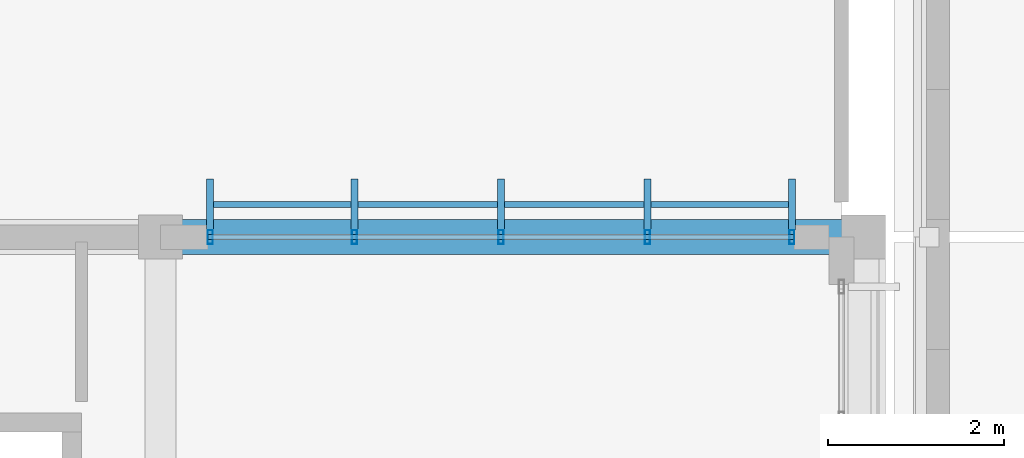
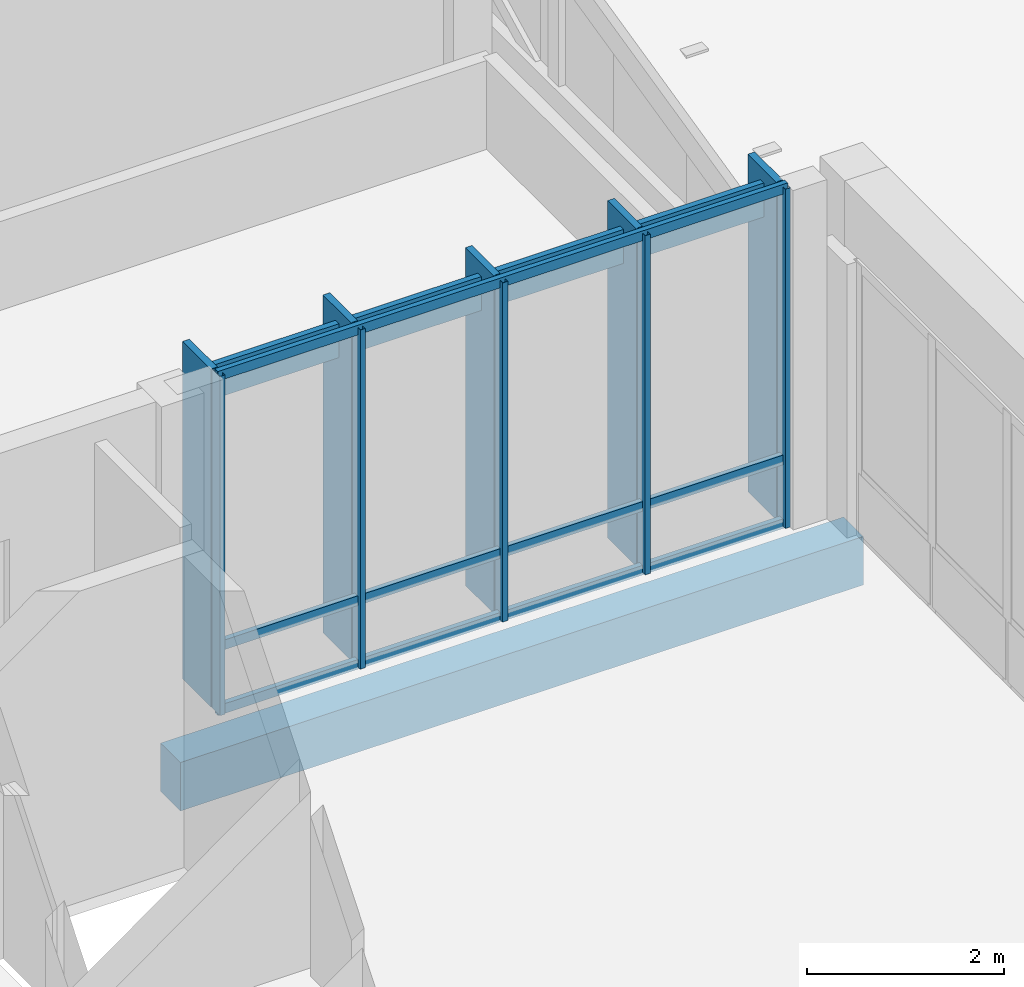
# One storey, part 29 of 182: 14 members, 1 beam, 1 element without a shape of its own.
"""IFC4 building model written with IfcOpenShell, lengths in metres."""

from ifc_helpers import new_model, si_unit, direction, frame, origin, origin_2d, place, context, subcontext, project, spatial, rectangle, hollow_rectangle, extrude, material, material_profile, profile_set, type_object, element, aggregate, save


model = new_model("IFC4")

# Units and contexts
model_context = context("Model", 3, precision=1e-05, world=origin(), true_north=direction((0.0, 1.0)))
body_context = subcontext(model_context, "Body", "Model", "MODEL_VIEW")
ifc_project = project(units=[si_unit("LENGTHUNIT", "METRE"), si_unit("AREAUNIT", "SQUARE_METRE"), si_unit("VOLUMEUNIT", "CUBIC_METRE"), si_unit("PLANEANGLEUNIT", "RADIAN"), si_unit("MASSUNIT", "GRAM", prefix="KILO")], contexts=[model_context])

# Site, building, storey
site_placement = place(None, origin())
site = spatial("IfcSite", under=ifc_project, at=site_placement, CompositionType="ELEMENT")
building_placement = place(site_placement, origin())
building = spatial("IfcBuilding", under=site, at=building_placement, Name="Chiffa Square Polytechnic", CompositionType="ELEMENT")
storey_placement = place(building_placement, frame((0.0, 0.0, 9.60009765625)))
storey = spatial("IfcBuildingStorey", under=building, at=storey_placement, Name="L02", CompositionType="ELEMENT", Elevation=9.60009765625)

# Beam
ifc_material_1 = material(Name="Concrete C35/45", Category="concrete")
ifc_material_profile_1 = material_profile(ifc_material_1, rectangle(XDim=0.39990234375, YDim=0.60009765625, at=origin_2d()), Name="RC 400x600")
ifc_profile_set_1 = profile_set([ifc_material_profile_1], Name="Concrete C35/45")
beam_type = type_object("IfcBeamType", Name="BM-RC-400X600", PredefinedType="BEAM", material=ifc_profile_set_1)
beam_placement = place(storey_placement, frame((40.0, 28.800048828125, -0.6201171875), z_axis=(1.0, 0.0, 0.0), x_axis=(0.0, 1.0, 0.0)))
element("IfcBeam", 1, at=beam_placement, inside=storey, type_object=beam_type, Name="Primary floor girder BM-V3-L02-X-0400-0288", PredefinedType="BEAM", context=body_context, shape_type="SweptSolid", body=[
    extrude(rectangle(XDim=0.39990234375, YDim=0.60009765625, at=origin_2d()), origin(), (0.0, 0.0, 1.0), 8.0),
])

# Curtain wall, members
ifc_material_2 = material(Name="Aluminium EN AW-6060 T66 and glulam shading", Category="wood")
curtain_wall_type = type_object("IfcCurtainWallType", Name="CW-VERT-300X380", PredefinedType="USERDEFINED", material=ifc_material_2)
curtain_wall_placement = place(storey_placement, origin())
curtain_wall = element("IfcCurtainWall", 2, at=curtain_wall_placement, inside=storey, type_object=curtain_wall_type, Name="Curtain wall CW-V3-L02-171", ObjectType="CURTAIN WALL", PredefinedType="USERDEFINED")
ifc_material_3 = material(Name="Aluminium EN AW-6060 T66", Category="aluminium")
ifc_material_profile_2 = material_profile(ifc_material_3, hollow_rectangle(XDim=0.06005859375, YDim=0.159912109375, WallThickness=0.00390625, at=origin_2d()), Name="ALU 60x160x4")
ifc_profile_set_2 = profile_set([ifc_material_profile_2], Name="Aluminium EN AW-6060 T66")
member_type_1 = type_object("IfcMemberType", Name="CWM-ALU-65X150", PredefinedType="MULLION", material=ifc_profile_set_2)
member_1_placement = place(storey_placement, frame((47.18505859375, 28.800048828125, 0.0), z_axis=(0.0, 0.0, 1.0), x_axis=(1.0, 0.0, 0.0)))
member_1 = element("IfcMember", 3, at=member_1_placement, type_object=member_type_1, Name="Curtain wall mullion CW-V3-L02-171-M00", PredefinedType="MULLION", context=body_context, shape_type="SweptSolid", body=[
    extrude(hollow_rectangle(XDim=0.06005859375, YDim=0.159912109375, WallThickness=0.00390625, at=origin_2d()), origin(), (0.0, 0.0, 1.0), 4.199951171875),
])
member_2_placement = place(storey_placement, frame((45.54296875, 28.800048828125, 0.0), z_axis=(0.0, 0.0, 1.0), x_axis=(1.0, 0.0, 0.0)))
member_2 = element("IfcMember", 4, at=member_2_placement, type_object=member_type_1, Name="Curtain wall mullion CW-V3-L02-171-M01", PredefinedType="MULLION", context=body_context, shape_type="SweptSolid", body=[
    extrude(hollow_rectangle(XDim=0.06005859375, YDim=0.159912109375, WallThickness=0.00390625, at=origin_2d()), origin(), (0.0, 0.0, 1.0), 4.199951171875),
])
member_3_placement = place(storey_placement, frame((43.875, 28.800048828125, 0.0), z_axis=(0.0, 0.0, 1.0), x_axis=(1.0, 0.0, 0.0)))
member_3 = element("IfcMember", 5, at=member_3_placement, type_object=member_type_1, Name="Curtain wall mullion CW-V3-L02-171-M02", PredefinedType="MULLION", context=body_context, shape_type="SweptSolid", body=[
    extrude(hollow_rectangle(XDim=0.06005859375, YDim=0.159912109375, WallThickness=0.00390625, at=origin_2d()), origin(), (0.0, 0.0, 1.0), 4.199951171875),
])
member_4_placement = place(storey_placement, frame((42.20703125, 28.800048828125, 0.0), z_axis=(0.0, 0.0, 1.0), x_axis=(1.0, 0.0, 0.0)))
member_4 = element("IfcMember", 6, at=member_4_placement, type_object=member_type_1, Name="Curtain wall mullion CW-V3-L02-171-M03", PredefinedType="MULLION", context=body_context, shape_type="SweptSolid", body=[
    extrude(hollow_rectangle(XDim=0.06005859375, YDim=0.159912109375, WallThickness=0.00390625, at=origin_2d()), origin(), (0.0, 0.0, 1.0), 4.199951171875),
])
member_5_placement = place(storey_placement, frame((40.56494140625, 28.800048828125, 0.0), z_axis=(0.0, 0.0, 1.0), x_axis=(1.0, 0.0, 0.0)))
member_5 = element("IfcMember", 7, at=member_5_placement, type_object=member_type_1, Name="Curtain wall mullion CW-V3-L02-171-M04", PredefinedType="MULLION", context=body_context, shape_type="SweptSolid", body=[
    extrude(hollow_rectangle(XDim=0.06005859375, YDim=0.159912109375, WallThickness=0.00390625, at=origin_2d()), origin(), (0.0, 0.0, 1.0), 4.199951171875),
])
ifc_material_4 = material(Name="Glulam GL28h", Category="wood")
ifc_material_profile_3 = material_profile(ifc_material_4, rectangle(XDim=0.080078125, YDim=0.580078125, at=origin_2d()), Name="GL28h 80x580")
ifc_profile_set_3 = profile_set([ifc_material_profile_3], Name="Glulam GL28h")
member_type_2 = type_object("IfcMemberType", Name="CWM-GL-80X580", PredefinedType="MULLION", material=ifc_profile_set_3)
member_6_placement = place(storey_placement, frame((47.18505859375, 29.172119140625, 0.010009765625), z_axis=(0.0, 0.0, 1.0), x_axis=(-1.0, 0.0, 0.0)))
member_6 = element("IfcMember", 8, at=member_6_placement, type_object=member_type_2, Name="Exterior glulam solar fin CW-V3-L02-171-FN00", PredefinedType="MULLION", context=body_context, shape_type="SweptSolid", body=[
    extrude(rectangle(XDim=0.080078125, YDim=0.580078125, at=origin_2d()), origin(), (0.0, 0.0, 1.0), 4.179931640625),
])
member_7_placement = place(storey_placement, frame((45.54296875, 29.172119140625, 0.010009765625), z_axis=(0.0, 0.0, 1.0), x_axis=(-1.0, 0.0, 0.0)))
member_7 = element("IfcMember", 9, at=member_7_placement, type_object=member_type_2, Name="Exterior glulam solar fin CW-V3-L02-171-FN01", PredefinedType="MULLION", context=body_context, shape_type="SweptSolid", body=[
    extrude(rectangle(XDim=0.080078125, YDim=0.580078125, at=origin_2d()), origin(), (0.0, 0.0, 1.0), 4.179931640625),
])
member_8_placement = place(storey_placement, frame((43.875, 29.172119140625, 0.010009765625), z_axis=(0.0, 0.0, 1.0), x_axis=(-1.0, 0.0, 0.0)))
member_8 = element("IfcMember", 10, at=member_8_placement, type_object=member_type_2, Name="Exterior glulam solar fin CW-V3-L02-171-FN02", PredefinedType="MULLION", context=body_context, shape_type="SweptSolid", body=[
    extrude(rectangle(XDim=0.080078125, YDim=0.580078125, at=origin_2d()), origin(), (0.0, 0.0, 1.0), 4.179931640625),
])
member_9_placement = place(storey_placement, frame((42.20703125, 29.172119140625, 0.010009765625), z_axis=(0.0, 0.0, 1.0), x_axis=(-1.0, 0.0, 0.0)))
member_9 = element("IfcMember", 11, at=member_9_placement, type_object=member_type_2, Name="Exterior glulam solar fin CW-V3-L02-171-FN03", PredefinedType="MULLION", context=body_context, shape_type="SweptSolid", body=[
    extrude(rectangle(XDim=0.080078125, YDim=0.580078125, at=origin_2d()), origin(), (0.0, 0.0, 1.0), 4.179931640625),
])
member_10_placement = place(storey_placement, frame((40.56494140625, 29.172119140625, 0.010009765625), z_axis=(0.0, 0.0, 1.0), x_axis=(-1.0, 0.0, 0.0)))
member_10 = element("IfcMember", 12, at=member_10_placement, type_object=member_type_2, Name="Exterior glulam solar fin CW-V3-L02-171-FN04", PredefinedType="MULLION", context=body_context, shape_type="SweptSolid", body=[
    extrude(rectangle(XDim=0.080078125, YDim=0.580078125, at=origin_2d()), origin(), (0.0, 0.0, 1.0), 4.179931640625),
])
ifc_material_profile_4 = material_profile(ifc_material_3, hollow_rectangle(XDim=0.06005859375, YDim=0.1201171875, WallThickness=0.00390625, at=origin_2d()), Name="ALU 60x120x4")
ifc_profile_set_4 = profile_set([ifc_material_profile_4], Name="Aluminium EN AW-6060 T66")
member_type_3 = type_object("IfcMemberType", Name="CWT-ALU-65X120", PredefinedType="USERDEFINED", material=ifc_profile_set_4)
member_11_placement = place(storey_placement, frame((47.2119140625, 28.800048828125, 0.02978515625), z_axis=(-1.0, 0.0, 0.0), x_axis=(0.0, -1.0, 0.0)))
member_11 = element("IfcMember", 13, at=member_11_placement, type_object=member_type_3, Name="Curtain wall transom CW-V3-L02-171-T01", ObjectType="TRANSOM", PredefinedType="USERDEFINED", context=body_context, shape_type="SweptSolid", body=[
    extrude(hollow_rectangle(XDim=0.06005859375, YDim=0.1201171875, WallThickness=0.00390625, at=origin_2d()), origin(), (0.0, 0.0, 1.0), 6.673828125),
])
member_12_placement = place(storey_placement, frame((47.2119140625, 28.800048828125, 0.81982421875), z_axis=(-1.0, 0.0, 0.0), x_axis=(0.0, -1.0, 0.0)))
member_12 = element("IfcMember", 14, at=member_12_placement, type_object=member_type_3, Name="Curtain wall transom CW-V3-L02-171-T02", ObjectType="TRANSOM", PredefinedType="USERDEFINED", context=body_context, shape_type="SweptSolid", body=[
    extrude(hollow_rectangle(XDim=0.06005859375, YDim=0.1201171875, WallThickness=0.00390625, at=origin_2d()), origin(), (0.0, 0.0, 1.0), 6.673828125),
])
member_13_placement = place(storey_placement, frame((47.2119140625, 28.800048828125, 4.169921875), z_axis=(-1.0, 0.0, 0.0), x_axis=(0.0, -1.0, 0.0)))
member_13 = element("IfcMember", 15, at=member_13_placement, type_object=member_type_3, Name="Curtain wall transom CW-V3-L02-171-T03", ObjectType="TRANSOM", PredefinedType="USERDEFINED", context=body_context, shape_type="SweptSolid", body=[
    extrude(hollow_rectangle(XDim=0.06005859375, YDim=0.1201171875, WallThickness=0.00390625, at=origin_2d()), origin(), (0.0, 0.0, 1.0), 6.673828125),
])
ifc_material_profile_5 = material_profile(ifc_material_4, rectangle(XDim=0.070068359375, YDim=0.419921875, at=origin_2d()), Name="GL28h 70x420")
ifc_profile_set_5 = profile_set([ifc_material_profile_5], Name="Glulam GL28h")
member_type_4 = type_object("IfcMemberType", Name="CWT-GL-70X420", PredefinedType="USERDEFINED", material=ifc_profile_set_5)
member_14_placement = place(storey_placement, frame((47.18505859375, 29.172119140625, 3.81982421875), z_axis=(-1.0, 0.0, 0.0), x_axis=(0.0, -1.0, 0.0)))
member_14 = element("IfcMember", 16, at=member_14_placement, type_object=member_type_4, Name="Exterior glulam brise-soleil CW-V3-L02-171-BS01", ObjectType="TRANSOM", PredefinedType="USERDEFINED", context=body_context, shape_type="SweptSolid", body=[
    extrude(rectangle(XDim=0.070068359375, YDim=0.419921875, at=origin_2d()), origin(), (0.0, 0.0, 1.0), 6.6201171875),
])
aggregate(curtain_wall, [member_1, member_6, member_2, member_7, member_3, member_8, member_4, member_9, member_5, member_10, member_11, member_12, member_13, member_14])

save(model, "model.ifc")
